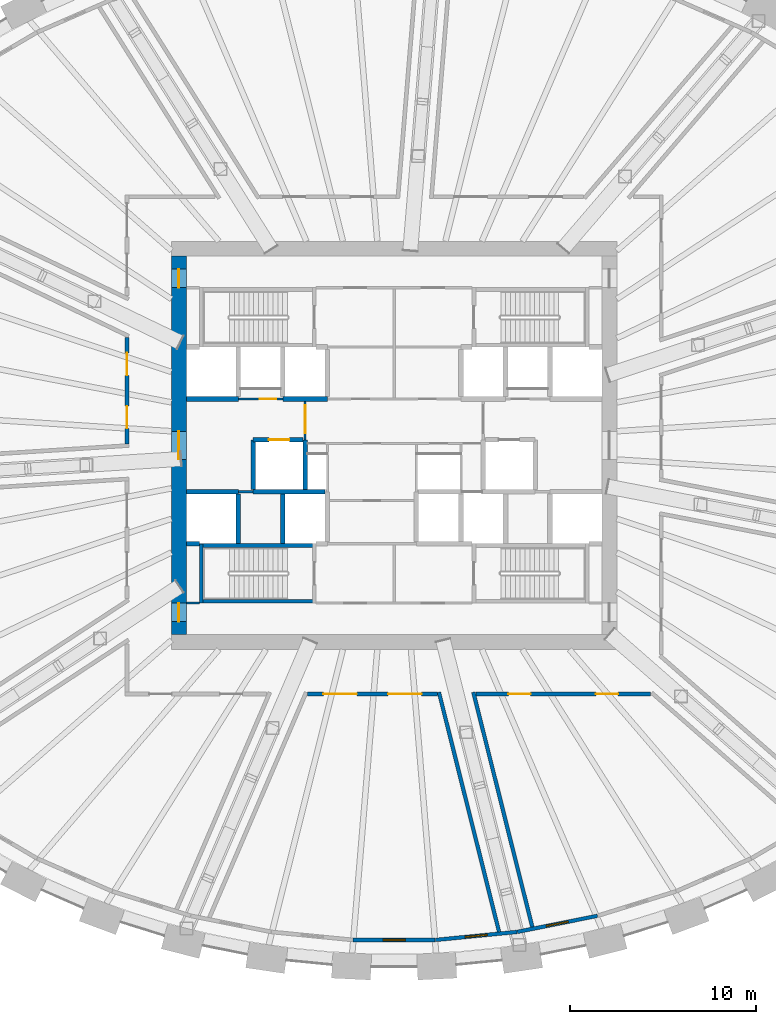
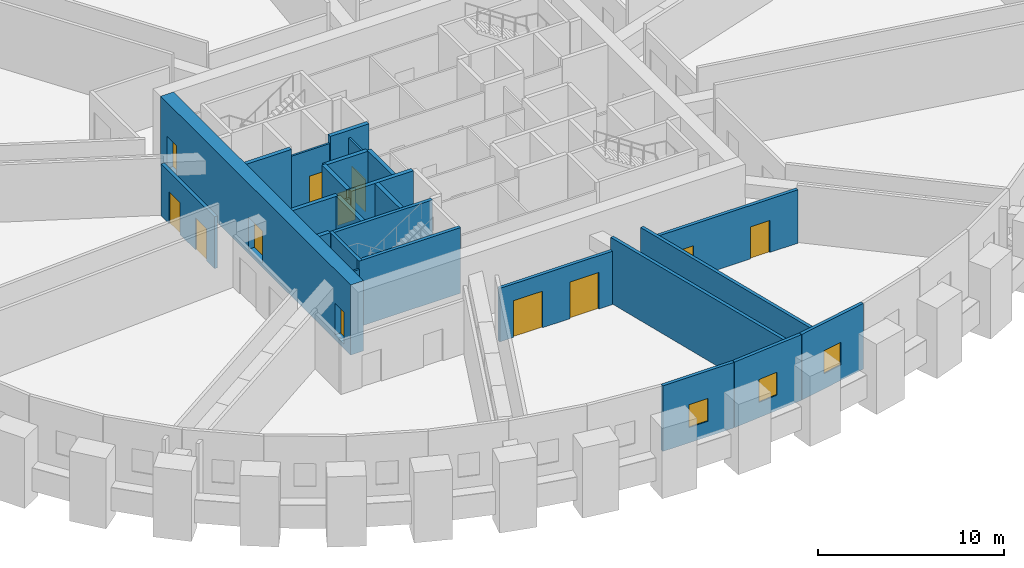
# One storey, part 7 of 13: 26 walls, 12 doors, 3 windows, 15 openings.
"""IFC4 building model written with IfcOpenShell, lengths in metres."""

import ifcopenshell
import ifcopenshell.guid

model = None  # the IFC model being written
_history = None  # IfcOwnerHistory: only IFC2X3 demands one
_inside = {}  # id of a spatial element -> (the spatial element, [elements in it])
_under = {}  # id of a project, library or spatial element -> (it, [spatial elements below it])
_declared = {}  # id of a project -> (the project, [libraries it declares])
_typed = {}  # id of a type object -> (the type object, [elements of that type])
_made_of = {}  # id of a material, layer set ... -> (it, [elements and type objects made of it])


def new_model(schema):
    """Start an empty IFC model of exactly this schema.

    Asked for "IFC4X3", IfcOpenShell would pick the latest addendum, in which some entities
    have other attributes; the version numbers below select the first issue.
    IFC2X3 requires an IfcOwnerHistory on every rooted entity: one is made here for all.
    """
    global model, _history
    if schema == "IFC4X3":
        model = ifcopenshell.file(schema_version=(4, 3, 0, 0))
    else:
        model = ifcopenshell.file(schema=schema)
    _inside.clear()
    _under.clear()
    _declared.clear()
    _typed.clear()
    _made_of.clear()
    _history = None
    if model.schema == "IFC2X3":
        org = make("IfcOrganization", Name="unknown")
        user = make(
            "IfcPersonAndOrganization",
            ThePerson=make("IfcPerson", FamilyName="unknown"),
            TheOrganization=org,
        )
        app = make(
            "IfcApplication",
            ApplicationDeveloper=org,
            Version="unknown",
            ApplicationFullName="unknown",
            ApplicationIdentifier="unknown",
        )
        _history = make(
            "IfcOwnerHistory",
            OwningUser=user,
            OwningApplication=app,
            ChangeAction="ADDED",
            CreationDate=0,
        )
    return model


def make(cls, **values):
    """One entity of the class cls with the attributes given. An attribute that is None is left unset."""
    return model.create_entity(
        cls, **{name: value for name, value in values.items() if value is not None}
    )


def rooted(cls, **values):
    """An entity with a GlobalId (a new one), such as an element, a storey or a relation."""
    return make(cls, GlobalId=ifcopenshell.guid.new(), OwnerHistory=_history, **values)


def si_unit(unit_type, name, prefix=None):
    """IfcSIUnit, for example si_unit("LENGTHUNIT", "METRE", prefix="MILLI")."""
    return make("IfcSIUnit", UnitType=unit_type, Prefix=prefix, Name=name)


def assignment(units):
    """IfcUnitAssignment: the units of a project."""
    return None if units is None else make("IfcUnitAssignment", Units=units)


def point(xyz):
    """IfcCartesianPoint."""
    return None if xyz is None else make("IfcCartesianPoint", Coordinates=xyz)


def direction(xyz):
    """IfcDirection."""
    return None if xyz is None else make("IfcDirection", DirectionRatios=xyz)


def frame(location, z_axis=None, x_axis=None):
    """IfcAxis2Placement3D, a coordinate frame: its origin and axes. An axis left out is left unset."""
    return make(
        "IfcAxis2Placement3D",
        Location=point(location),
        Axis=direction(z_axis),
        RefDirection=direction(x_axis),
    )


def frame_2d(location, x_axis=None):
    """IfcAxis2Placement2D, a coordinate frame in the plane: its origin and x axis."""
    return make(
        "IfcAxis2Placement2D", Location=point(location), RefDirection=direction(x_axis)
    )


def origin():
    """The frame at (0, 0, 0) with its axes left unset."""
    return frame((0.0, 0.0, 0.0))


def place(relative_to, where):
    """IfcLocalPlacement: puts the frame where relative to a parent placement (None: the world)."""
    return make(
        "IfcLocalPlacement", PlacementRelTo=relative_to, RelativePlacement=where
    )


def context(
    kind, dimensions, precision=None, world=None, true_north=None, identifier=None
):
    """IfcGeometricRepresentationContext, for example the 3D "Model" context."""
    return make(
        "IfcGeometricRepresentationContext",
        ContextIdentifier=identifier,
        ContextType=kind,
        CoordinateSpaceDimension=dimensions,
        Precision=precision,
        WorldCoordinateSystem=world,
        TrueNorth=true_north,
    )


def subcontext(parent, identifier, kind, view, scale=None):
    """IfcGeometricRepresentationSubContext, for example "Body" below "Model"."""
    return make(
        "IfcGeometricRepresentationSubContext",
        ContextIdentifier=identifier,
        ContextType=kind,
        ParentContext=parent,
        TargetScale=scale,
        TargetView=view,
    )


def project(units=None, contexts=None):
    """IfcProject with its units and contexts."""
    return rooted(
        "IfcProject",
        Name="project",
        RepresentationContexts=contexts,
        UnitsInContext=assignment(units),
    )


def spatial(cls, under=None, at=None, **own):
    """A site, building, storey or space (cls), placed at a placement, below another one or the project."""
    s = rooted(cls, ObjectPlacement=at, **own)
    if under is not None:
        _under.setdefault(under.id(), (under, []))[1].append(s)
    return s


def profile(cls, at=None, kind="AREA", **sizes):
    """A parametric profile (cls). Its sizes go by their IFC names, for example OverallWidth=200.0."""
    return make(cls, ProfileType=kind, Position=at, **sizes)


def rectangle(**sizes):
    """IfcRectangleProfileDef."""
    return profile("IfcRectangleProfileDef", **sizes)


def extrude(swept, where, along, depth):
    """IfcExtrudedAreaSolid: the profile swept, set in the frame where, extruded along a direction by depth."""
    return make(
        "IfcExtrudedAreaSolid",
        SweptArea=swept,
        Position=where,
        ExtrudedDirection=direction(along),
        Depth=depth,
    )


def shape(context_of_items, identifier, shape_type, items):
    """IfcShapeRepresentation: the items that make up one representation, for example the "Body"."""
    return make(
        "IfcShapeRepresentation",
        ContextOfItems=context_of_items,
        RepresentationIdentifier=identifier,
        RepresentationType=shape_type,
        Items=items,
    )


def source(mapping_origin, context_of_items, identifier, shape_type, items):
    """IfcRepresentationMap: a shape defined once, which mapped items show again and again."""
    return make(
        "IfcRepresentationMap",
        MappingOrigin=mapping_origin,
        MappedRepresentation=shape(context_of_items, identifier, shape_type, items),
    )


def transform(
    local_origin,
    x_axis=None,
    y_axis=None,
    z_axis=None,
    scale=None,
    scale2=None,
    scale3=None,
    uniform=True,
):
    """IfcCartesianTransformationOperator3D, or its non-uniform kind. x_axis, y_axis, z_axis: its Axis1, 2, 3."""
    if uniform:
        return make(
            "IfcCartesianTransformationOperator3D",
            Axis1=direction(x_axis),
            Axis2=direction(y_axis),
            LocalOrigin=point(local_origin),
            Scale=scale,
            Axis3=direction(z_axis),
        )
    return make(
        "IfcCartesianTransformationOperator3DnonUniform",
        Axis1=direction(x_axis),
        Axis2=direction(y_axis),
        LocalOrigin=point(local_origin),
        Scale=scale,
        Axis3=direction(z_axis),
        Scale2=scale2,
        Scale3=scale3,
    )


def mapped(mapping_source, mapping_target):
    """IfcMappedItem: shows the shape of a source again, moved by a transform."""
    return make(
        "IfcMappedItem", MappingSource=mapping_source, MappingTarget=mapping_target
    )


def material(Name=None, Category=None):
    """IfcMaterial."""
    return make("IfcMaterial", Name=Name, Category=Category)


def layer(
    of_material, thickness, ventilated=None, Name=None, Category=None, Priority=None
):
    """IfcMaterialLayer: one layer of a wall or slab, of a material (None: an air gap)."""
    return make(
        "IfcMaterialLayer",
        Material=of_material,
        LayerThickness=thickness,
        IsVentilated=ventilated,
        Name=Name,
        Category=Category,
        Priority=Priority,
    )


def layer_set(layers, Name=None):
    """IfcMaterialLayerSet."""
    return make("IfcMaterialLayerSet", MaterialLayers=layers, LayerSetName=Name)


def made_of(thing, what):
    """Note that an element or type object is made of a material, layer set ...; save() writes the relation."""
    if what is not None:
        _made_of.setdefault(what.id(), (what, []))[1].append(thing)
    return thing


def type_object(cls, material=None, **own):
    """A type object (cls), such as IfcWallType, which elements share."""
    return made_of(rooted(cls, **own), material)


def element(
    cls,
    number,
    at=None,
    inside=None,
    cuts=None,
    type_object=None,
    material=None,
    context=None,
    identifier="Body",
    shape_type=None,
    held_by="IfcProductDefinitionShape",
    body=None,
    shapes=None,
    **own,
):
    """One element of the class cls, such as IfcWall. Its Tag is "e" and its number.

    at: its placement. inside: the storey or other place that contains it. cuts: it is an
    opening in that element (IfcRelVoidsElement). A single representation is given by context,
    identifier, shape_type and body (its items); several are given by shapes. held_by: the class
    of the entity that holds the representations. save() writes the other relations.
    """
    e = rooted(cls, Tag="e%d" % number, ObjectPlacement=at, **own)
    if body is not None:
        shapes = [shape(context, identifier, shape_type, body)]
    if shapes is not None:
        e.Representation = make(held_by, Representations=shapes)
    if inside is not None:
        _inside.setdefault(inside.id(), (inside, []))[1].append(e)
    if cuts is not None:
        rooted(
            "IfcRelVoidsElement", RelatingBuildingElement=cuts, RelatedOpeningElement=e
        )
    if type_object is not None:
        _typed.setdefault(type_object.id(), (type_object, []))[1].append(e)
    return made_of(e, material)


def fill(opening, filler):
    """IfcRelFillsElement: the door or window that sits in an opening."""
    return rooted(
        "IfcRelFillsElement",
        RelatingOpeningElement=opening,
        RelatedBuildingElement=filler,
    )


def aggregate(whole, parts):
    """IfcRelAggregates: a whole, such as a stair, and the parts it consists of."""
    return rooted("IfcRelAggregates", RelatingObject=whole, RelatedObjects=parts)


def save(model, path):
    """Write the relations noted so far, then the file.

    IfcRelAggregates (storeys below a building ...), IfcRelContainedInSpatialStructure (elements
    in a storey), IfcRelDefinesByType, IfcRelAssociatesMaterial and IfcRelDeclares: one each for
    every whole, place, type object, material and project.
    """
    for whole, parts in _under.values():
        aggregate(whole, parts)
    for where, things in _inside.values():
        rooted(
            "IfcRelContainedInSpatialStructure",
            RelatedElements=things,
            RelatingStructure=where,
        )
    for kind, things in _typed.values():
        rooted("IfcRelDefinesByType", RelatedObjects=things, RelatingType=kind)
    for what, things in _made_of.values():
        rooted("IfcRelAssociatesMaterial", RelatedObjects=things, RelatingMaterial=what)
    for by, libraries in _declared.values():
        rooted("IfcRelDeclares", RelatingContext=by, RelatedDefinitions=libraries)
    model.write(path)


model = new_model("IFC4")

# Units and contexts
model_context = context("Model", 3, precision=1e-05, world=origin(), true_north=direction((0.0, 1.0)))
body_context = subcontext(model_context, "Body", "Model", "MODEL_VIEW")
ifc_project = project(units=[si_unit("LENGTHUNIT", "METRE"), si_unit("AREAUNIT", "SQUARE_METRE"), si_unit("VOLUMEUNIT", "CUBIC_METRE"), si_unit("PLANEANGLEUNIT", "RADIAN"), si_unit("MASSUNIT", "GRAM", prefix="KILO")], contexts=[model_context])

# Site, building, storey
site_placement = place(None, origin())
site = spatial("IfcSite", under=ifc_project, at=site_placement, CompositionType="ELEMENT")
building_placement = place(site_placement, origin())
building = spatial("IfcBuilding", under=site, at=building_placement, Name="Embergate Tower", CompositionType="ELEMENT")
storey_placement = place(building_placement, frame((0.0, 0.0, 195.0)))
storey = spatial("IfcBuildingStorey", under=building, at=storey_placement, Name="L44", CompositionType="ELEMENT", Elevation=195.0)

# Wall, openings, doors
ifc_material_1 = material(Name="Concrete C70", Category="concrete")
ifc_layer_1 = layer(ifc_material_1, 0.800048828125)
ifc_layer_set_1 = layer_set([ifc_layer_1], Name="Concrete C70")
wall_type_1 = type_object("IfcWallType", Name="Core outer wall C70 800", PredefinedType="SHEAR", material=ifc_layer_set_1)
shared_shape_1 = source(origin(), body_context, "Body", "SweptSolid", [
    extrude(rectangle(XDim=20.39990234375, YDim=0.800048828125, at=frame_2d((10.199951171875, 0.0))), origin(), (0.0, 0.0, 1.0), 4.60009765625),
])
wall_1_placement = place(storey_placement, frame((-11.60009765625, -10.199951171875, -0.300048828125), z_axis=(0.0, 0.0, 1.0), x_axis=(0.0, 1.0, 0.0)))
wall_1 = element("IfcWall", 1, at=wall_1_placement, inside=storey, type_object=wall_type_1, Name="CW-L44-W", PredefinedType="SHEAR", context=body_context, shape_type="MappedRepresentation", body=[
    mapped(shared_shape_1, transform((0.0, 0.0, 0.0))),
])
shared_shape_2 = source(origin(), body_context, "Body", "SweptSolid", [
    extrude(rectangle(XDim=1.0, YDim=2.10009765625, at=frame_2d((0.5, 1.050048828125))), frame((0.0, 0.409912109375, 0.0), z_axis=(0.0, -1.0, 0.0), x_axis=(1.0, 0.0, 0.0)), (0.0, 0.0, 1.0), 0.820068359375),
])
opening_1_placement = place(wall_1_placement, frame((18.699951171875, 0.0, 0.300048828125)))
opening_1 = element("IfcOpeningElement", 2, at=opening_1_placement, cuts=wall_1, Name="Opening IF-1d", PredefinedType="OPENING", context=body_context, shape_type="MappedRepresentation", body=[
    mapped(shared_shape_2, transform((0.0, 0.0, 0.0))),
])
opening_2_placement = place(wall_1_placement, frame((0.699951171875, 0.0, 0.300048828125)))
opening_2 = element("IfcOpeningElement", 3, at=opening_2_placement, cuts=wall_1, Name="Opening IF-1d", PredefinedType="OPENING", context=body_context, shape_type="MappedRepresentation", body=[
    mapped(shared_shape_2, transform((0.0, 0.0, 0.0))),
])
shared_shape_3 = source(origin(), body_context, "Body", "SweptSolid", [
    extrude(rectangle(XDim=1.5, YDim=2.10009765625, at=frame_2d((0.75, 1.050048828125))), frame((0.0, 0.409912109375, 0.0), z_axis=(0.0, -1.0, 0.0), x_axis=(1.0, 0.0, 0.0)), (0.0, 0.0, 1.0), 0.820068359375),
])
opening_3_placement = place(wall_1_placement, frame((9.449951171875, 0.0, 0.300048828125)))
opening_3 = element("IfcOpeningElement", 4, at=opening_3_placement, cuts=wall_1, Name="Opening IF-3", PredefinedType="OPENING", context=body_context, shape_type="MappedRepresentation", body=[
    mapped(shared_shape_3, transform((0.0, 0.0, 0.0))),
])
ifc_material_2 = material(Name="Lobby fire door pair 1500")
door_type_1 = type_object("IfcDoorType", Name="Lobby fire door pair 1500", OperationType="DOUBLE_DOOR_SINGLE_SWING", PredefinedType="DOOR", material=ifc_material_2)
shared_shape_4 = source(origin(), body_context, "Body", "SweptSolid", [
    extrude(rectangle(XDim=1.5, YDim=2.10009765625, at=frame_2d((0.75, 1.050048828125))), frame((0.0, 0.02490234375, 0.0), z_axis=(0.0, -1.0, 0.0), x_axis=(1.0, 0.0, 0.0)), (0.0, 0.0, 1.0), 0.050048828125),
])
door_1_placement = place(opening_3_placement, origin())
door_1 = element("IfcDoor", 5, at=door_1_placement, inside=storey, type_object=door_type_1, Name="IF-3 door", OperationType="DOUBLE_DOOR_SINGLE_SWING", OverallHeight=2.10009765625, OverallWidth=1.5, PredefinedType="DOOR", context=body_context, shape_type="MappedRepresentation", body=[
    mapped(shared_shape_4, transform((0.0, 0.0, 0.0))),
])
fill(opening_3, door_1)
ifc_material_3 = material(Name="Escape fire door 1000")
door_type_2 = type_object("IfcDoorType", Name="Escape fire door 1000", OperationType="SINGLE_SWING_LEFT", PredefinedType="DOOR", material=ifc_material_3)
shared_shape_5 = source(origin(), body_context, "Body", "SweptSolid", [
    extrude(rectangle(XDim=1.0, YDim=2.10009765625, at=frame_2d((0.5, 1.050048828125))), frame((0.0, 0.02490234375, 0.0), z_axis=(0.0, -1.0, 0.0), x_axis=(1.0, 0.0, 0.0)), (0.0, 0.0, 1.0), 0.050048828125),
])
door_2_placement = place(opening_1_placement, origin())
door_2 = element("IfcDoor", 6, at=door_2_placement, inside=storey, type_object=door_type_2, Name="IF-1 door", OperationType="SINGLE_SWING_LEFT", OverallHeight=2.10009765625, OverallWidth=1.0, PredefinedType="DOOR", context=body_context, shape_type="MappedRepresentation", body=[
    mapped(shared_shape_5, transform((0.0, 0.0, 0.0))),
])
fill(opening_1, door_2)
door_3_placement = place(opening_2_placement, origin())
door_3 = element("IfcDoor", 7, at=door_3_placement, inside=storey, type_object=door_type_2, Name="IF-1 door", OperationType="SINGLE_SWING_LEFT", OverallHeight=2.10009765625, OverallWidth=1.0, PredefinedType="DOOR", context=body_context, shape_type="MappedRepresentation", body=[
    mapped(shared_shape_5, transform((0.0, 0.0, 0.0))),
])
fill(opening_2, door_3)

# Wall, opening, window
ifc_material_4 = material(Name="Terracotta louvre cladding on insulated backing", Category="masonry")
ifc_layer_2 = layer(ifc_material_4, 0.199951171875)
ifc_layer_set_2 = layer_set([ifc_layer_2], Name="Terracotta louvre cladding on insulated backing")
wall_type_2 = type_object("IfcWallType", Name="Terracotta louvre wall", PredefinedType="SOLIDWALL", material=ifc_layer_set_2)
shared_shape_6 = source(origin(), body_context, "Body", "SweptSolid", [
    extrude(rectangle(XDim=4.408447265625, YDim=0.199951171875, at=frame_2d((2.2041015625, 0.0))), origin(), (0.0, 0.0, 1.0), 4.300048828125),
])
wall_2_placement = place(storey_placement, frame((10.955322265625, -25.353759765625, 0.0), z_axis=(0.0, 0.0, 1.0), x_axis=(-0.980471892556, -0.196659268553, 0.0)))
wall_2 = element("IfcWall", 8, at=wall_2_placement, inside=storey, type_object=wall_type_2, Name="Louvre wall 35", PredefinedType="SOLIDWALL", context=body_context, shape_type="MappedRepresentation", body=[
    mapped(shared_shape_6, transform((0.0, 0.0, 0.0))),
])
shared_shape_7 = source(origin(), body_context, "Body", "SweptSolid", [
    extrude(rectangle(XDim=1.199951171875, YDim=1.5, at=frame_2d((0.60009765625, 0.75))), frame((0.0, 0.10986328125, 0.0), z_axis=(0.0, -1.0, 0.0), x_axis=(1.0, 0.0, 0.0)), (0.0, 0.0, 1.0), 0.219970703125),
])
opening_4_placement = place(wall_2_placement, frame((1.60400390625, 0.0, 1.0)))
opening_4 = element("IfcOpeningElement", 9, at=opening_4_placement, cuts=wall_2, Name="Opening RW", PredefinedType="OPENING", context=body_context, shape_type="MappedRepresentation", body=[
    mapped(shared_shape_7, transform((0.0, 0.0, 0.0))),
])
ifc_material_5 = material(Name="Aluminium, thermally broken, triple glazed", Category="aluminium")
window_type = type_object("IfcWindowType", Name="Refuge operable window", PartitioningType="SINGLE_PANEL", PredefinedType="WINDOW", material=ifc_material_5)
shared_shape_8 = source(origin(), body_context, "Body", "SweptSolid", [
    extrude(rectangle(XDim=1.199951171875, YDim=1.5, at=frame_2d((0.60009765625, 0.75))), frame((0.0, 0.030029296875, 0.0), z_axis=(0.0, -1.0, 0.0), x_axis=(1.0, 0.0, 0.0)), (0.0, 0.0, 1.0), 0.06005859375),
])
window_1_placement = place(opening_4_placement, origin())
window_1 = element("IfcWindow", 10, at=window_1_placement, inside=storey, type_object=window_type, Name="Refuge window 35", OverallHeight=1.5, OverallWidth=1.199951171875, PartitioningType="SINGLE_PANEL", PredefinedType="WINDOW", context=body_context, shape_type="MappedRepresentation", body=[
    mapped(shared_shape_8, transform((0.0, 0.0, 0.0))),
])
fill(opening_4, window_1)

shared_shape_9 = source(origin(), body_context, "Body", "SweptSolid", [
    extrude(rectangle(XDim=4.40966796875, YDim=0.199951171875, at=frame_2d((2.204833984375, 0.0))), origin(), (0.0, 0.0, 1.0), 4.300048828125),
])
wall_3_placement = place(storey_placement, frame((6.61328125, -26.2236328125, 0.0), z_axis=(0.0, 0.0, 1.0), x_axis=(-0.99520836883, -0.097776799964, 0.0)))
wall_3 = element("IfcWall", 11, at=wall_3_placement, inside=storey, type_object=wall_type_2, Name="Louvre wall 34", PredefinedType="SOLIDWALL", context=body_context, shape_type="MappedRepresentation", body=[
    mapped(shared_shape_9, transform((0.0, 0.0, 0.0))),
])
opening_5_placement = place(wall_3_placement, frame((1.604736328125, 0.0, 1.0)))
opening_5 = element("IfcOpeningElement", 12, at=opening_5_placement, cuts=wall_3, Name="Opening RW", PredefinedType="OPENING", context=body_context, shape_type="MappedRepresentation", body=[
    mapped(shared_shape_7, transform((0.0, 0.0, 0.0))),
])
window_2_placement = place(opening_5_placement, origin())
window_2 = element("IfcWindow", 13, at=window_2_placement, inside=storey, type_object=window_type, Name="Refuge window 34", OverallHeight=1.5, OverallWidth=1.199951171875, PartitioningType="SINGLE_PANEL", PredefinedType="WINDOW", context=body_context, shape_type="MappedRepresentation", body=[
    mapped(shared_shape_8, transform((0.0, 0.0, 0.0))),
])
fill(opening_5, window_2)

shared_shape_10 = source(origin(), body_context, "Body", "SweptSolid", [
    extrude(rectangle(XDim=4.41015625, YDim=0.199951171875, at=frame_2d((2.205078125, 0.0))), origin(), (0.0, 0.0, 1.0), 4.300048828125),
])
wall_4_placement = place(storey_placement, frame((2.205078125, -26.656005859375, 0.0), z_axis=(0.0, 0.0, 1.0), x_axis=(-1.0, 0.0, 0.0)))
wall_4 = element("IfcWall", 14, at=wall_4_placement, inside=storey, type_object=wall_type_2, Name="Louvre wall 33", PredefinedType="SOLIDWALL", context=body_context, shape_type="MappedRepresentation", body=[
    mapped(shared_shape_10, transform((0.0, 0.0, 0.0))),
])
opening_6_placement = place(wall_4_placement, frame((1.60498046875, 0.0, 1.0)))
opening_6 = element("IfcOpeningElement", 15, at=opening_6_placement, cuts=wall_4, Name="Opening RW", PredefinedType="OPENING", context=body_context, shape_type="MappedRepresentation", body=[
    mapped(shared_shape_7, transform((0.0, 0.0, 0.0))),
])
window_3_placement = place(opening_6_placement, origin())
window_3 = element("IfcWindow", 16, at=window_3_placement, inside=storey, type_object=window_type, Name="Refuge window 33", OverallHeight=1.5, OverallWidth=1.199951171875, PartitioningType="SINGLE_PANEL", PredefinedType="WINDOW", context=body_context, shape_type="MappedRepresentation", body=[
    mapped(shared_shape_8, transform((0.0, 0.0, 0.0))),
])
fill(opening_6, window_3)

# Wall
ifc_material_6 = material(Name="Concrete C50", Category="concrete")
ifc_layer_3 = layer(ifc_material_6, 0.25)
ifc_layer_set_3 = layer_set([ifc_layer_3], Name="Concrete C50")
wall_type_3 = type_object("IfcWallType", Name="Hoistway wall reinforced concrete 250", PredefinedType="SHEAR", material=ifc_layer_set_3)
shared_shape_11 = source(origin(), body_context, "Body", "SweptSolid", [
    extrude(rectangle(XDim=2.675048828125, YDim=0.25, at=frame_2d((1.33740234375, 0.0))), origin(), (0.0, 0.0, 1.0), 4.300048828125),
])
wall_5_placement = place(storey_placement, frame((-4.800048828125, 0.300048828125, 0.0), z_axis=(0.0, 0.0, 1.0), x_axis=(0.0, -1.0, 0.0)))
element("IfcWall", 17, at=wall_5_placement, inside=storey, type_object=wall_type_3, Name="HW-1 wall", PredefinedType="SHEAR", context=body_context, shape_type="MappedRepresentation", body=[
    mapped(shared_shape_11, transform((0.0, 0.0, 0.0))),
])

# Wall, opening, door
wall_6_placement = place(storey_placement, frame((-4.925048828125, 0.300048828125, 0.0), z_axis=(0.0, 0.0, 1.0), x_axis=(-1.0, 0.0, 0.0)))
wall_6 = element("IfcWall", 18, at=wall_6_placement, inside=storey, type_object=wall_type_3, Name="HW-1 wall", PredefinedType="SHEAR", context=body_context, shape_type="MappedRepresentation", body=[
    mapped(shared_shape_11, transform((0.0, 0.0, 0.0))),
])
shared_shape_12 = source(origin(), body_context, "Body", "SweptSolid", [
    extrude(rectangle(XDim=1.10009765625, YDim=2.10009765625, at=frame_2d((0.550048828125, 1.050048828125))), frame((0.0, 0.135009765625, 0.0), z_axis=(0.0, -1.0, 0.0), x_axis=(1.0, 0.0, 0.0)), (0.0, 0.0, 1.0), 0.27001953125),
])
opening_7_placement = place(wall_6_placement, frame((0.72509765625, 0.0, 0.0)))
opening_7 = element("IfcOpeningElement", 19, at=opening_7_placement, cuts=wall_6, Name="Opening LD", PredefinedType="OPENING", context=body_context, shape_type="MappedRepresentation", body=[
    mapped(shared_shape_12, transform((0.0, 0.0, 0.0))),
])
ifc_material_7 = material(Name="Landing door sliding 1100")
door_type_3 = type_object("IfcDoorType", Name="Landing door sliding 1100", OperationType="SLIDING_TO_LEFT", PredefinedType="DOOR", material=ifc_material_7)
shared_shape_13 = source(origin(), body_context, "Body", "SweptSolid", [
    extrude(rectangle(XDim=1.10009765625, YDim=2.10009765625, at=frame_2d((0.550048828125, 1.050048828125))), frame((0.0, 0.02490234375, 0.0), z_axis=(0.0, -1.0, 0.0), x_axis=(1.0, 0.0, 0.0)), (0.0, 0.0, 1.0), 0.050048828125),
])
door_4_placement = place(opening_7_placement, origin())
door_4 = element("IfcDoor", 20, at=door_4_placement, inside=storey, type_object=door_type_3, Name="LD door", OperationType="SLIDING_TO_LEFT", OverallHeight=2.10009765625, OverallWidth=1.10009765625, PredefinedType="DOOR", context=body_context, shape_type="MappedRepresentation", body=[
    mapped(shared_shape_13, transform((0.0, 0.0, 0.0))),
])
fill(opening_7, door_4)

# Walls
wall_7_placement = place(storey_placement, frame((-7.60009765625, 0.300048828125, 0.0), z_axis=(0.0, 0.0, 1.0), x_axis=(0.0, -1.0, 0.0)))
element("IfcWall", 21, at=wall_7_placement, inside=storey, type_object=wall_type_3, Name="HW-1 wall", PredefinedType="SHEAR", context=body_context, shape_type="MappedRepresentation", body=[
    mapped(shared_shape_11, transform((0.0, 0.0, 0.0))),
])
ifc_layer_4 = layer(ifc_material_6, 0.199951171875)
ifc_layer_set_4 = layer_set([ifc_layer_4], Name="Concrete C50")
wall_type_4 = type_object("IfcWallType", Name="Stair enclosure wall reinforced concrete 250", PredefinedType="SHEAR", material=ifc_layer_set_4)
shared_shape_14 = source(origin(), body_context, "Body", "SweptSolid", [
    extrude(rectangle(XDim=6.300048828125, YDim=0.199951171875, at=frame_2d((3.14990234375, 0.0))), origin(), (0.0, 0.0, 1.0), 4.300048828125),
])
for number, where, z_axis, x_axis, name in (
    (22, (-10.5, -5.39990234375, 0.0), (0.0, 0.0, 1.0), (1.0, 0.0, 0.0), "SE-1 wall"),
    (23, (-10.5, -8.39990234375, 0.0), (0.0, 0.0, 1.0), (1.0, 0.0, 0.0), "SE-1 wall"),
):
    element("IfcWall", number, at=place(storey_placement, frame(where, z_axis=z_axis, x_axis=x_axis)), inside=storey, type_object=wall_type_4, Name=name, PredefinedType="SHEAR", context=body_context, shape_type="MappedRepresentation", body=[
        mapped(shared_shape_14, transform((0.0, 0.0, 0.0))),
    ])
shared_shape_15 = source(origin(), body_context, "Body", "SweptSolid", [
    extrude(rectangle(XDim=2.39990234375, YDim=0.25, at=frame_2d((1.199951171875, 0.0))), origin(), (0.0, 0.0, 1.0), 4.300048828125),
])
wall_8_placement = place(storey_placement, frame((-6.0, 2.5, 0.0), z_axis=(0.0, 0.0, 1.0), x_axis=(1.0, 0.0, 0.0)))
element("IfcWall", 24, at=wall_8_placement, inside=storey, type_object=wall_type_3, Name="HW-1 wall", PredefinedType="SHEAR", context=body_context, shape_type="MappedRepresentation", body=[
    mapped(shared_shape_15, transform((0.0, 0.0, 0.0))),
])

# Wall, opening, door
ifc_material_8 = material(Name="Core partition blockwork 120")
ifc_layer_5 = layer(ifc_material_8, 0.1201171875)
ifc_layer_set_5 = layer_set([ifc_layer_5], Name="Core partition blockwork 120")
wall_type_5 = type_object("IfcWallType", Name="Core partition blockwork 120", PredefinedType="PARTITIONING", material=ifc_layer_set_5)
shared_shape_16 = source(origin(), body_context, "Body", "SweptSolid", [
    extrude(rectangle(XDim=2.074951171875, YDim=0.1201171875, at=frame_2d((1.03759765625, 0.0))), origin(), (0.0, 0.0, 1.0), 3.800048828125),
])
wall_9_placement = place(storey_placement, frame((-4.800048828125, 2.375, 0.0), z_axis=(0.0, 0.0, 1.0), x_axis=(0.0, -1.0, 0.0)))
wall_9 = element("IfcWall", 25, at=wall_9_placement, inside=storey, type_object=wall_type_5, Name="IP-3 wall", PredefinedType="PARTITIONING", context=body_context, shape_type="MappedRepresentation", body=[
    mapped(shared_shape_16, transform((0.0, 0.0, 0.0))),
])
shared_shape_17 = source(origin(), body_context, "Body", "SweptSolid", [
    extrude(rectangle(XDim=1.5, YDim=2.10009765625, at=frame_2d((0.75, 1.050048828125))), frame((0.0, 0.070068359375, 0.0), z_axis=(0.0, -1.0, 0.0), x_axis=(1.0, 0.0, 0.0)), (0.0, 0.0, 1.0), 0.14013671875),
])
opening_8_placement = place(wall_9_placement, frame((0.22509765625, 0.0, 0.0)))
opening_8 = element("IfcOpeningElement", 26, at=opening_8_placement, cuts=wall_9, Name="Opening IF-3", PredefinedType="OPENING", context=body_context, shape_type="MappedRepresentation", body=[
    mapped(shared_shape_17, transform((0.0, 0.0, 0.0))),
])
door_5_placement = place(opening_8_placement, origin())
door_5 = element("IfcDoor", 27, at=door_5_placement, inside=storey, type_object=door_type_1, Name="IF-3 door", OperationType="DOUBLE_DOOR_SINGLE_SWING", OverallHeight=2.10009765625, OverallWidth=1.5, PredefinedType="DOOR", context=body_context, shape_type="MappedRepresentation", body=[
    mapped(shared_shape_4, transform((0.0, 0.0, 0.0))),
])
fill(opening_8, door_5)

# Walls
shared_shape_18 = source(origin(), body_context, "Body", "SweptSolid", [
    extrude(rectangle(XDim=2.800048828125, YDim=0.25, at=frame_2d((1.39990234375, 0.0))), origin(), (0.0, 0.0, 1.0), 4.300048828125),
])
for number, where, z_axis, x_axis, name in (
    (28, (-11.199951171875, 2.5, 0.0), (0.0, 0.0, 1.0), (1.0, 0.0, 0.0), "HW-1 wall"),
    (29, (-8.39990234375, -2.5, 0.0), (0.0, 0.0, 1.0), (-1.0, 0.0, 0.0), "HW-1 wall"),
):
    element("IfcWall", number, at=place(storey_placement, frame(where, z_axis=z_axis, x_axis=x_axis)), inside=storey, type_object=wall_type_3, Name=name, PredefinedType="SHEAR", context=body_context, shape_type="MappedRepresentation", body=[
        mapped(shared_shape_18, transform((0.0, 0.0, 0.0))),
    ])

# Wall, opening, door
shared_shape_19 = source(origin(), body_context, "Body", "SweptSolid", [
    extrude(rectangle(XDim=2.39990234375, YDim=0.1201171875, at=frame_2d((1.199951171875, 0.0))), origin(), (0.0, 0.0, 1.0), 3.800048828125),
])
wall_10_placement = place(storey_placement, frame((-8.39990234375, 2.5, 0.0), z_axis=(0.0, 0.0, 1.0), x_axis=(1.0, 0.0, 0.0)))
wall_10 = element("IfcWall", 30, at=wall_10_placement, inside=storey, type_object=wall_type_5, Name="IP-3 wall", PredefinedType="PARTITIONING", context=body_context, shape_type="MappedRepresentation", body=[
    mapped(shared_shape_19, transform((0.0, 0.0, 0.0))),
])
shared_shape_20 = source(origin(), body_context, "Body", "SweptSolid", [
    extrude(rectangle(XDim=0.89990234375, YDim=2.10009765625, at=frame_2d((0.449951171875, 1.050048828125))), frame((0.0, 0.070068359375, 0.0), z_axis=(0.0, -1.0, 0.0), x_axis=(1.0, 0.0, 0.0)), (0.0, 0.0, 1.0), 0.14013671875),
])
opening_9_placement = place(wall_10_placement, frame((1.14990234375, 0.0, 0.0)))
opening_9 = element("IfcOpeningElement", 31, at=opening_9_placement, cuts=wall_10, Name="Opening ID-1", PredefinedType="OPENING", context=body_context, shape_type="MappedRepresentation", body=[
    mapped(shared_shape_20, transform((0.0, 0.0, 0.0))),
])
ifc_material_9 = material(Name="Interior door 900")
door_type_4 = type_object("IfcDoorType", Name="Interior door 900", OperationType="SINGLE_SWING_LEFT", PredefinedType="DOOR", material=ifc_material_9)
shared_shape_21 = source(origin(), body_context, "Body", "SweptSolid", [
    extrude(rectangle(XDim=0.89990234375, YDim=2.10009765625, at=frame_2d((0.449951171875, 1.050048828125))), frame((0.0, 0.02490234375, 0.0), z_axis=(0.0, -1.0, 0.0), x_axis=(1.0, 0.0, 0.0)), (0.0, 0.0, 1.0), 0.050048828125),
])
door_6_placement = place(opening_9_placement, origin())
door_6 = element("IfcDoor", 32, at=door_6_placement, inside=storey, type_object=door_type_4, Name="ID-1 door", OperationType="SINGLE_SWING_RIGHT", OverallHeight=2.10009765625, OverallWidth=0.89990234375, PredefinedType="DOOR", context=body_context, shape_type="MappedRepresentation", body=[
    mapped(shared_shape_21, transform((0.0, 0.0, 0.0))),
])
fill(opening_9, door_6)

# Walls
shared_shape_22 = source(origin(), body_context, "Body", "SweptSolid", [
    extrude(rectangle(XDim=3.872802734375, YDim=0.25, at=frame_2d((1.9365234375, 0.0))), origin(), (0.0, 0.0, 1.0), 4.300048828125),
])
wall_11_placement = place(storey_placement, frame((-3.72509765625, -2.5, 0.0), z_axis=(0.0, 0.0, 1.0), x_axis=(-1.0, 0.0, 0.0)))
element("IfcWall", 33, at=wall_11_placement, inside=storey, type_object=wall_type_3, Name="HW-1 wall", PredefinedType="SHEAR", context=body_context, shape_type="MappedRepresentation", body=[
    mapped(shared_shape_22, transform((0.0, 0.0, 0.0))),
])
shared_shape_23 = source(origin(), body_context, "Body", "SweptSolid", [
    extrude(rectangle(XDim=3.196044921875, YDim=0.199951171875, at=frame_2d((1.59814453125, 0.0))), origin(), (0.0, 0.0, 1.0), 4.300048828125),
])
wall_12_placement = place(storey_placement, frame((-10.39990234375, -5.302001953125, 0.0), z_axis=(0.0, 0.0, 1.0), x_axis=(0.0, -1.0, 0.0)))
element("IfcWall", 34, at=wall_12_placement, inside=storey, type_object=wall_type_4, Name="SE-1 wall", PredefinedType="SHEAR", context=body_context, shape_type="MappedRepresentation", body=[
    mapped(shared_shape_23, transform((0.0, 0.0, 0.0))),
])
shared_shape_24 = source(origin(), body_context, "Body", "SweptSolid", [
    extrude(rectangle(XDim=0.697998046875, YDim=0.25, at=frame_2d((0.34912109375, 0.0))), origin(), (0.0, 0.0, 1.0), 4.300048828125),
])
wall_13_placement = place(storey_placement, frame((-11.199951171875, -5.300048828125, 0.0), z_axis=(0.0, 0.0, 1.0), x_axis=(1.0, 0.0, 0.0)))
element("IfcWall", 35, at=wall_13_placement, inside=storey, type_object=wall_type_3, Name="HW-1 wall", PredefinedType="SHEAR", context=body_context, shape_type="MappedRepresentation", body=[
    mapped(shared_shape_24, transform((0.0, 0.0, 0.0))),
])
shared_shape_25 = source(origin(), body_context, "Body", "SweptSolid", [
    extrude(rectangle(XDim=2.671142578125, YDim=0.25, at=frame_2d((1.33544921875, 0.0))), origin(), (0.0, 0.0, 1.0), 4.300048828125),
])
for number, where, z_axis, x_axis, name in (
    (36, (-8.39990234375, -5.298095703125, 0.0), (0.0, 0.0, 1.0), (0.0, 1.0, 0.0), "HW-1 wall"),
    (37, (-6.0, -2.626953125, 0.0), (0.0, 0.0, 1.0), (0.0, -1.0, 0.0), "HW-1 wall"),
):
    element("IfcWall", number, at=place(storey_placement, frame(where, z_axis=z_axis, x_axis=x_axis)), inside=storey, type_object=wall_type_3, Name=name, PredefinedType="SHEAR", context=body_context, shape_type="MappedRepresentation", body=[
        mapped(shared_shape_25, transform((0.0, 0.0, 0.0))),
    ])
shared_shape_26 = source(origin(), body_context, "Body", "SweptSolid", [
    extrude(rectangle(XDim=0.7958984375, YDim=0.1201171875, at=frame_2d((0.39794921875, 0.0))), origin(), (0.0, 0.0, 1.0), 3.800048828125),
])
wall_14_placement = place(storey_placement, frame((-8.39794921875, -2.5, 0.0), z_axis=(0.0, 0.0, 1.0), x_axis=(1.0, 0.0, 0.0)))
element("IfcWall", 38, at=wall_14_placement, inside=storey, type_object=wall_type_5, Name="IP-3 wall", PredefinedType="PARTITIONING", context=body_context, shape_type="MappedRepresentation", body=[
    mapped(shared_shape_26, transform((0.0, 0.0, 0.0))),
])
shared_shape_27 = source(origin(), body_context, "Body", "SweptSolid", [
    extrude(rectangle(XDim=0.697998046875, YDim=0.1201171875, at=frame_2d((0.34912109375, 0.0))), origin(), (0.0, 0.0, 1.0), 3.800048828125),
])
wall_15_placement = place(storey_placement, frame((-10.501953125, -8.5, 0.0), z_axis=(0.0, 0.0, 1.0), x_axis=(-1.0, 0.0, 0.0)))
element("IfcWall", 39, at=wall_15_placement, inside=storey, type_object=wall_type_5, Name="IP-3 wall", PredefinedType="PARTITIONING", context=body_context, shape_type="MappedRepresentation", body=[
    mapped(shared_shape_27, transform((0.0, 0.0, 0.0))),
])

# Wall, openings, doors
ifc_material_10 = material(Name="Blockwork, plastered", Category="masonry")
ifc_layer_6 = layer(ifc_material_10, 0.199951171875)
ifc_layer_set_6 = layer_set([ifc_layer_6], Name="Blockwork, plastered")
wall_type_6 = type_object("IfcWallType", Name="Fire partition wall 200 block", PredefinedType="PARTITIONING", material=ifc_layer_set_6)
shared_shape_28 = source(origin(), body_context, "Body", "SweptSolid", [
    extrude(rectangle(XDim=5.72216796875, YDim=0.199951171875, at=frame_2d((2.861083984375, 0.0))), origin(), (0.0, 0.0, 1.0), 3.39990234375),
])
wall_16_placement = place(storey_placement, frame((-14.39990234375, 0.0869140625, 0.0), z_axis=(0.0, 0.0, 1.0), x_axis=(0.0, 1.0, 0.0)))
wall_16 = element("IfcWall", 40, at=wall_16_placement, inside=storey, type_object=wall_type_6, Name="Partition 009", PredefinedType="PARTITIONING", context=body_context, shape_type="MappedRepresentation", body=[
    mapped(shared_shape_28, transform((0.0, 0.0, 0.0))),
])
shared_shape_29 = source(origin(), body_context, "Body", "SweptSolid", [
    extrude(rectangle(XDim=1.199951171875, YDim=2.10009765625, at=frame_2d((0.60009765625, 1.050048828125))), frame((0.0, 0.10986328125, 0.0), z_axis=(0.0, -1.0, 0.0), x_axis=(1.0, 0.0, 0.0)), (0.0, 0.0, 1.0), 0.219970703125),
])
opening_10_placement = place(wall_16_placement, frame((0.8310546875, 0.0, 0.0)))
opening_10 = element("IfcOpeningElement", 41, at=opening_10_placement, cuts=wall_16, Name="Opening DS-209", PredefinedType="OPENING", context=body_context, shape_type="MappedRepresentation", body=[
    mapped(shared_shape_29, transform((0.0, 0.0, 0.0))),
])
opening_11_placement = place(wall_16_placement, frame((3.69189453125, 0.0, 0.0)))
opening_11 = element("IfcOpeningElement", 42, at=opening_11_placement, cuts=wall_16, Name="Opening DS-210", PredefinedType="OPENING", context=body_context, shape_type="MappedRepresentation", body=[
    mapped(shared_shape_29, transform((0.0, 0.0, 0.0))),
])
ifc_material_11 = material(Name="Timber door leaf, steel frame", Category="steel")
door_type_5 = type_object("IfcDoorType", Name="Plant door 1200x2100", OperationType="SINGLE_SWING_LEFT", PredefinedType="DOOR", material=ifc_material_11)
shared_shape_30 = source(origin(), body_context, "Body", "SweptSolid", [
    extrude(rectangle(XDim=1.199951171875, YDim=2.10009765625, at=frame_2d((0.60009765625, 1.050048828125))), frame((0.0, 0.02490234375, 0.0), z_axis=(0.0, -1.0, 0.0), x_axis=(1.0, 0.0, 0.0)), (0.0, 0.0, 1.0), 0.050048828125),
])
door_7_placement = place(opening_10_placement, origin())
door_7 = element("IfcDoor", 43, at=door_7_placement, inside=storey, type_object=door_type_5, Name="Door to Air handling plant room", OperationType="SINGLE_SWING_LEFT", OverallHeight=2.10009765625, OverallWidth=1.199951171875, PredefinedType="DOOR", context=body_context, shape_type="MappedRepresentation", body=[
    mapped(shared_shape_30, transform((0.0, 0.0, 0.0))),
])
fill(opening_10, door_7)
door_8_placement = place(opening_11_placement, origin())
door_8 = element("IfcDoor", 44, at=door_8_placement, inside=storey, type_object=door_type_5, Name="Door to Air handling plant room", OperationType="SINGLE_SWING_LEFT", OverallHeight=2.10009765625, OverallWidth=1.199951171875, PredefinedType="DOOR", context=body_context, shape_type="MappedRepresentation", body=[
    mapped(shared_shape_30, transform((0.0, 0.0, 0.0))),
])
fill(opening_11, door_8)

shared_shape_31 = source(origin(), body_context, "Body", "SweptSolid", [
    extrude(rectangle(XDim=6.98583984375, YDim=0.199951171875, at=frame_2d((3.492919921875, 0.0))), origin(), (0.0, 0.0, 1.0), 3.5),
])
wall_17_placement = place(storey_placement, frame((2.325927734375, -13.39990234375, 0.0), z_axis=(0.0, 0.0, 1.0), x_axis=(-1.0, 0.0, 0.0)))
wall_17 = element("IfcWall", 45, at=wall_17_placement, inside=storey, type_object=wall_type_6, Name="Partition 021", PredefinedType="PARTITIONING", context=body_context, shape_type="MappedRepresentation", body=[
    mapped(shared_shape_31, transform((0.0, 0.0, 0.0))),
])
shared_shape_32 = source(origin(), body_context, "Body", "SweptSolid", [
    extrude(rectangle(XDim=1.800048828125, YDim=2.39990234375, at=frame_2d((0.89990234375, 1.199951171875))), frame((0.0, 0.10986328125, 0.0), z_axis=(0.0, -1.0, 0.0), x_axis=(1.0, 0.0, 0.0)), (0.0, 0.0, 1.0), 0.219970703125),
])
opening_12_placement = place(wall_17_placement, frame((0.846923828125, 0.0, 0.0)))
opening_12 = element("IfcOpeningElement", 46, at=opening_12_placement, cuts=wall_17, Name="Opening DS-215", PredefinedType="OPENING", context=body_context, shape_type="MappedRepresentation", body=[
    mapped(shared_shape_32, transform((0.0, 0.0, 0.0))),
])
opening_13_placement = place(wall_17_placement, frame((4.340087890625, 0.0, 0.0)))
opening_13 = element("IfcOpeningElement", 47, at=opening_13_placement, cuts=wall_17, Name="Opening DS-216", PredefinedType="OPENING", context=body_context, shape_type="MappedRepresentation", body=[
    mapped(shared_shape_32, transform((0.0, 0.0, 0.0))),
])
door_type_6 = type_object("IfcDoorType", Name="Double door 1800x2400", OperationType="DOUBLE_DOOR_SINGLE_SWING", PredefinedType="DOOR", material=ifc_material_11)
shared_shape_33 = source(origin(), body_context, "Body", "SweptSolid", [
    extrude(rectangle(XDim=1.800048828125, YDim=2.39990234375, at=frame_2d((0.89990234375, 1.199951171875))), frame((0.0, 0.02490234375, 0.0), z_axis=(0.0, -1.0, 0.0), x_axis=(1.0, 0.0, 0.0)), (0.0, 0.0, 1.0), 0.050048828125),
])
door_9_placement = place(opening_12_placement, origin())
door_9 = element("IfcDoor", 48, at=door_9_placement, inside=storey, type_object=door_type_6, Name="Door to Refuge area", OperationType="SINGLE_SWING_LEFT", OverallHeight=2.39990234375, OverallWidth=1.800048828125, PredefinedType="DOOR", context=body_context, shape_type="MappedRepresentation", body=[
    mapped(shared_shape_33, transform((0.0, 0.0, 0.0))),
])
fill(opening_12, door_9)
door_10_placement = place(opening_13_placement, origin())
door_10 = element("IfcDoor", 49, at=door_10_placement, inside=storey, type_object=door_type_6, Name="Door to Refuge area", OperationType="SINGLE_SWING_LEFT", OverallHeight=2.39990234375, OverallWidth=1.800048828125, PredefinedType="DOOR", context=body_context, shape_type="MappedRepresentation", body=[
    mapped(shared_shape_33, transform((0.0, 0.0, 0.0))),
])
fill(opening_13, door_10)

# Walls
shared_shape_34 = source(origin(), body_context, "Body", "SweptSolid", [
    extrude(rectangle(XDim=13.311767578125, YDim=0.199951171875, at=frame_2d((6.65576171875, 0.0))), origin(), (0.0, 0.0, 1.0), 4.300048828125),
])
wall_18_placement = place(storey_placement, frame((2.412109375, -13.302978515625, 0.0), z_axis=(0.0, 0.0, 1.0), x_axis=(0.243467632439, -0.969909022514, 0.0)))
element("IfcWall", 50, at=wall_18_placement, inside=storey, type_object=wall_type_6, Name="Partition 022", PredefinedType="PARTITIONING", context=body_context, shape_type="MappedRepresentation", body=[
    mapped(shared_shape_34, transform((0.0, 0.0, 0.0))),
])
shared_shape_35 = source(origin(), body_context, "Body", "SweptSolid", [
    extrude(rectangle(XDim=13.05810546875, YDim=0.199951171875, at=frame_2d((6.529052734375, 0.0))), origin(), (0.0, 0.0, 1.0), 4.300048828125),
])
wall_19_placement = place(storey_placement, frame((7.447998046875, -25.968017578125, 0.0), z_axis=(0.0, 0.0, 1.0), x_axis=(-0.2435209114, 0.969895646815, 0.0)))
element("IfcWall", 51, at=wall_19_placement, inside=storey, type_object=wall_type_6, Name="Partition 023", PredefinedType="PARTITIONING", context=body_context, shape_type="MappedRepresentation", body=[
    mapped(shared_shape_35, transform((0.0, 0.0, 0.0))),
])

# Wall, openings, doors
shared_shape_36 = source(origin(), body_context, "Body", "SweptSolid", [
    extrude(rectangle(XDim=9.4248046875, YDim=0.199951171875, at=frame_2d((4.71240234375, 0.0))), origin(), (0.0, 0.0, 1.0), 3.5),
])
wall_20_placement = place(storey_placement, frame((13.826904296875, -13.39990234375, 0.0), z_axis=(0.0, 0.0, 1.0), x_axis=(-1.0, 0.0, 0.0)))
wall_20 = element("IfcWall", 52, at=wall_20_placement, inside=storey, type_object=wall_type_6, Name="Partition 026", PredefinedType="PARTITIONING", context=body_context, shape_type="MappedRepresentation", body=[
    mapped(shared_shape_36, transform((0.0, 0.0, 0.0))),
])
opening_14_placement = place(wall_20_placement, frame((1.756103515625, 0.0, 0.0)))
opening_14 = element("IfcOpeningElement", 53, at=opening_14_placement, cuts=wall_20, Name="Opening DS-217", PredefinedType="OPENING", context=body_context, shape_type="MappedRepresentation", body=[
    mapped(shared_shape_29, transform((0.0, 0.0, 0.0))),
])
opening_15_placement = place(wall_20_placement, frame((6.468994140625, 0.0, 0.0)))
opening_15 = element("IfcOpeningElement", 54, at=opening_15_placement, cuts=wall_20, Name="Opening DS-218", PredefinedType="OPENING", context=body_context, shape_type="MappedRepresentation", body=[
    mapped(shared_shape_29, transform((0.0, 0.0, 0.0))),
])
door_11_placement = place(opening_14_placement, origin())
door_11 = element("IfcDoor", 55, at=door_11_placement, inside=storey, type_object=door_type_5, Name="Door to Water tank room", OperationType="SINGLE_SWING_LEFT", OverallHeight=2.10009765625, OverallWidth=1.199951171875, PredefinedType="DOOR", context=body_context, shape_type="MappedRepresentation", body=[
    mapped(shared_shape_30, transform((0.0, 0.0, 0.0))),
])
fill(opening_14, door_11)
door_12_placement = place(opening_15_placement, origin())
door_12 = element("IfcDoor", 56, at=door_12_placement, inside=storey, type_object=door_type_5, Name="Door to Water tank room", OperationType="SINGLE_SWING_LEFT", OverallHeight=2.10009765625, OverallWidth=1.199951171875, PredefinedType="DOOR", context=body_context, shape_type="MappedRepresentation", body=[
    mapped(shared_shape_30, transform((0.0, 0.0, 0.0))),
])
fill(opening_15, door_12)

save(model, "model.ifc")
